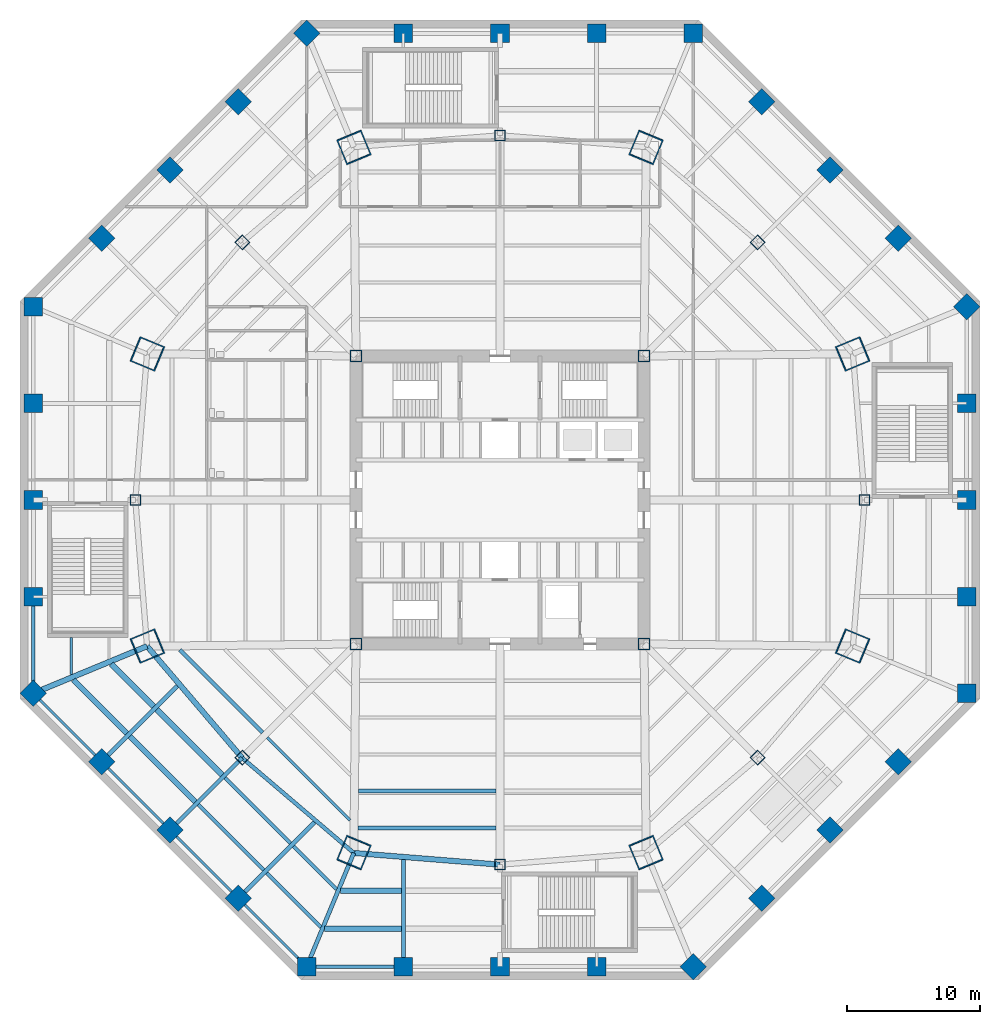
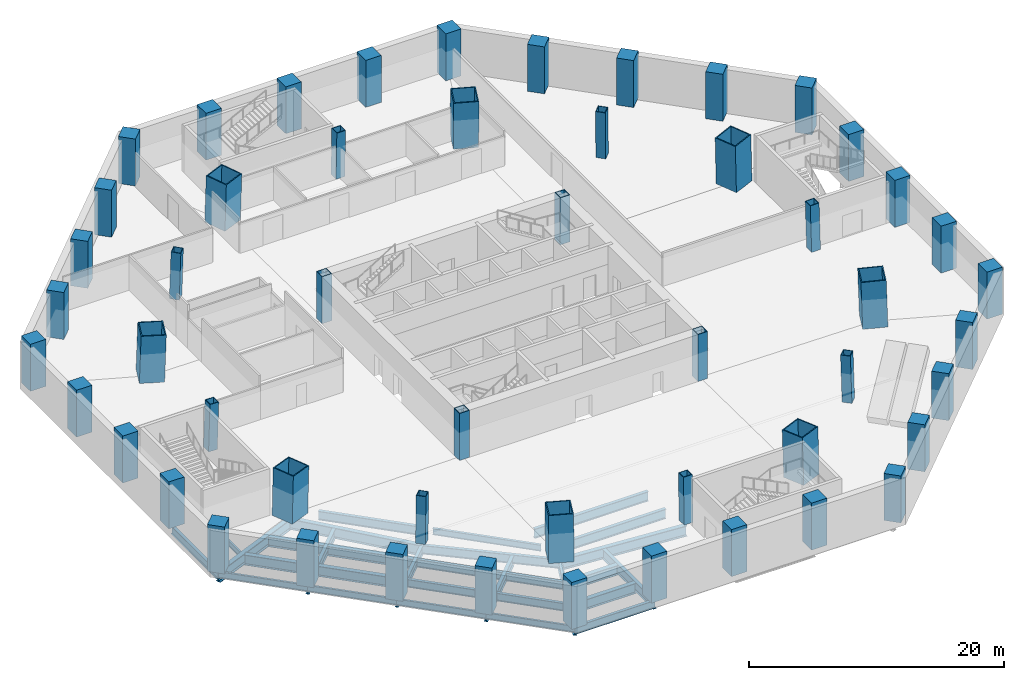
# One storey, part 1 of 15: 52 columns, 30 beams.
"""IFC4 building model written with IfcOpenShell, lengths in metres."""

from ifc_helpers import new_model, si_unit, direction, frame, origin, origin_2d, place, context, subcontext, project, spatial, rectangle, hollow_rectangle, i_section, extrude, material, material_profile, profile_set, type_object, element, save


model = new_model("IFC4")

# Units and contexts
model_context = context("Model", 3, precision=1e-05, world=origin(), true_north=direction((0.0, 1.0)))
body_context = subcontext(model_context, "Body", "Model", "MODEL_VIEW")
ifc_project = project(units=[si_unit("LENGTHUNIT", "METRE"), si_unit("AREAUNIT", "SQUARE_METRE"), si_unit("VOLUMEUNIT", "CUBIC_METRE"), si_unit("PLANEANGLEUNIT", "RADIAN"), si_unit("MASSUNIT", "GRAM", prefix="KILO")], contexts=[model_context])

# Site, building, storey
site_placement = place(None, origin())
site = spatial("IfcSite", under=ifc_project, at=site_placement, CompositionType="ELEMENT")
building_placement = place(site_placement, origin())
building = spatial("IfcBuilding", under=site, at=building_placement, Name="Mashrafa Tower", CompositionType="ELEMENT")
storey_placement = place(building_placement, frame((0.0, 0.0, -4.5)))
storey = spatial("IfcBuildingStorey", under=building, at=storey_placement, Name="B1", CompositionType="ELEMENT", Elevation=-4.5)

# Columns
ifc_material_1 = material(Name="Steel ASTM A572 Gr 50", Category="steel")
ifc_material_profile_1 = material_profile(ifc_material_1, hollow_rectangle(XDim=0.89990234375, YDim=0.89990234375, WallThickness=0.06005859375, at=origin_2d()), Name="BOX900X900X60")
ifc_profile_set_1 = profile_set([ifc_material_profile_1], Name="Steel ASTM A572 Gr 50")
column_type_1 = type_object("IfcColumnType", Name="Core corner column BOX900X900X60", PredefinedType="COLUMN", material=ifc_profile_set_1)
for number, where, z_axis, x_axis, name in (
    (1, (10.800048828125, 10.800048828125, 0.0), (0.0, 0.0, 1.0), (1.0, 0.0, 0.0), "Core corner column CC-NE B1"),
    (2, (-10.800048828125, 10.800048828125, 0.0), (0.0, 0.0, 1.0), (1.0, 0.0, 0.0), "Core corner column CC-NW B1"),
    (3, (-10.800048828125, -10.800048828125, 0.0), (0.0, 0.0, 1.0), (1.0, 0.0, 0.0), "Core corner column CC-SW B1"),
    (4, (10.800048828125, -10.800048828125, 0.0), (0.0, 0.0, 1.0), (1.0, 0.0, 0.0), "Core corner column CC-SE B1"),
):
    element("IfcColumn", number, at=place(storey_placement, frame(where, z_axis=z_axis, x_axis=x_axis)), inside=storey, type_object=column_type_1, Name=name, PredefinedType="COLUMN", context=body_context, shape_type="SweptSolid", body=[
        extrude(hollow_rectangle(XDim=0.89990234375, YDim=0.89990234375, WallThickness=0.06005859375, at=origin_2d()), origin(), (0.0, 0.0, 1.0), 4.5),
    ])
ifc_material_2 = material(Name="Steel ASTM A572 Gr 50", Category="steel")
ifc_material_profile_2 = material_profile(ifc_material_2, hollow_rectangle(XDim=2.0, YDim=2.0, WallThickness=0.090087890625, at=origin_2d()), Name="BOX2000X2000X90")
ifc_profile_set_2 = profile_set([ifc_material_profile_2], Name="Steel ASTM A572 Gr 50")
column_type_2 = type_object("IfcColumnType", Name="Mega column CFST BOX2000X2000X90", PredefinedType="COLUMN", material=ifc_profile_set_2)
for number, where, z_axis, x_axis, name in (
    (5, (26.4638671875, 10.961669921875, 0.0), (-0.028307020249, -0.011713249758, 0.999530646046), (0.382351792726, -0.924016832422, 0.0), "Mega column MC1 B1"),
    (6, (10.961669921875, 26.4638671875, 0.0), (-0.011713249758, -0.028307020249, 0.999530646046), (0.924016832422, -0.382351792726, 0.0), "Mega column MC2 B1"),
    (7, (-10.961669921875, 26.4638671875, 0.0), (0.011713249758, -0.028307020249, 0.999530646046), (0.924016832422, 0.382351792726, 0.0), "Mega column MC3 B1"),
    (8, (-26.4638671875, 10.961669921875, 0.0), (0.028307020249, -0.011713249758, 0.999530646046), (0.382351792726, 0.924016832422, 0.0), "Mega column MC4 B1"),
    (9, (-26.4638671875, -10.961669921875, 0.0), (0.028307020249, 0.011713249758, 0.999530646046), (-0.382351792726, 0.924016832422, 0.0), "Mega column MC5 B1"),
    (10, (-10.961669921875, -26.4638671875, 0.0), (0.011713249758, 0.028307020249, 0.999530646046), (-0.924016832422, 0.382351792726, 0.0), "Mega column MC6 B1"),
    (11, (10.961669921875, -26.4638671875, 0.0), (-0.011713249758, 0.028307020249, 0.999530646046), (-0.924016832422, -0.382351792726, 0.0), "Mega column MC7 B1"),
    (12, (26.4638671875, -10.961669921875, 0.0), (-0.028307020249, 0.011713249758, 0.999530646046), (-0.382351792726, -0.924016832422, 0.0), "Mega column MC8 B1"),
):
    element("IfcColumn", number, at=place(storey_placement, frame(where, z_axis=z_axis, x_axis=x_axis)), inside=storey, type_object=column_type_2, Name=name, PredefinedType="COLUMN", context=body_context, shape_type="SweptSolid", body=[
        extrude(hollow_rectangle(XDim=2.0, YDim=2.0, WallThickness=0.090087890625, at=origin_2d()), origin(), (0.0, 0.0, 1.0), 4.502197265625),
    ])
ifc_material_3 = material(Name="Concrete C50/60", Category="concrete")
ifc_material_profile_3 = material_profile(ifc_material_3, rectangle(XDim=1.39990234375, YDim=1.39990234375, at=origin_2d()), Name="RC1400X1400")
ifc_profile_set_3 = profile_set([ifc_material_profile_3], Name="Concrete C50/60")
column_type_3 = type_object("IfcColumnType", Name="Podium column RC1400X1400", PredefinedType="COLUMN", material=ifc_profile_set_3)
for number, where, z_axis, x_axis, name in (
    (13, (35.0, -14.49755859375, 0.0), (0.0, 0.0, 1.0), (1.0, 0.0, 0.0), "Podium column PC01 B1"),
    (14, (35.0, -7.248779296875, 0.0), (0.0, 0.0, 1.0), (1.0, 0.0, 0.0), "Podium column PC02 B1"),
    (15, (35.0, 0.0, 0.0), (0.0, 0.0, 1.0), (1.0, 0.0, 0.0), "Podium column PC03 B1"),
    (16, (35.0, 7.248779296875, 0.0), (0.0, 0.0, 1.0), (1.0, 0.0, 0.0), "Podium column PC04 B1"),
    (17, (35.0, 14.49755859375, 0.0), (0.0, 0.0, 1.0), (0.707106781187, 0.707106781187, 0.0), "Podium column PC05 B1"),
    (18, (29.874267578125, 19.623046875, 0.0), (0.0, 0.0, 1.0), (0.707106781187, 0.707106781187, 0.0), "Podium column PC06 B1"),
    (19, (24.748779296875, 24.748779296875, 0.0), (0.0, 0.0, 1.0), (0.707106781187, 0.707106781187, 0.0), "Podium column PC07 B1"),
    (20, (19.623046875, 29.874267578125, 0.0), (0.0, 0.0, 1.0), (0.707106781187, 0.707106781187, 0.0), "Podium column PC08 B1"),
    (21, (14.49755859375, 35.0, 0.0), (0.0, 0.0, 1.0), (1.0, 0.0, 0.0), "Podium column PC09 B1"),
    (22, (7.248779296875, 35.0, 0.0), (0.0, 0.0, 1.0), (1.0, 0.0, 0.0), "Podium column PC10 B1"),
    (23, (0.0, 35.0, 0.0), (0.0, 0.0, 1.0), (1.0, 0.0, 0.0), "Podium column PC11 B1"),
    (24, (-7.248779296875, 35.0, 0.0), (0.0, 0.0, 1.0), (1.0, 0.0, 0.0), "Podium column PC12 B1"),
    (25, (-14.49755859375, 35.0, 0.0), (0.0, 0.0, 1.0), (0.707106781187, 0.707106781187, 0.0), "Podium column PC13 B1"),
    (26, (-19.623046875, 29.874267578125, 0.0), (0.0, 0.0, 1.0), (0.707106781187, 0.707106781187, 0.0), "Podium column PC14 B1"),
    (27, (-24.748779296875, 24.748779296875, 0.0), (0.0, 0.0, 1.0), (0.707106781187, 0.707106781187, 0.0), "Podium column PC15 B1"),
    (28, (-29.874267578125, 19.623046875, 0.0), (0.0, 0.0, 1.0), (0.707106781187, 0.707106781187, 0.0), "Podium column PC16 B1"),
    (29, (-35.0, 14.49755859375, 0.0), (0.0, 0.0, 1.0), (1.0, 0.0, 0.0), "Podium column PC17 B1"),
    (30, (-35.0, 7.248779296875, 0.0), (0.0, 0.0, 1.0), (1.0, 0.0, 0.0), "Podium column PC18 B1"),
    (31, (-35.0, 0.0, 0.0), (0.0, 0.0, 1.0), (1.0, 0.0, 0.0), "Podium column PC19 B1"),
    (32, (-35.0, -7.248779296875, 0.0), (0.0, 0.0, 1.0), (1.0, 0.0, 0.0), "Podium column PC20 B1"),
    (33, (-35.0, -14.49755859375, 0.0), (0.0, 0.0, 1.0), (0.707106781187, 0.707106781187, 0.0), "Podium column PC21 B1"),
    (34, (-29.874267578125, -19.623046875, 0.0), (0.0, 0.0, 1.0), (0.707106781187, 0.707106781187, 0.0), "Podium column PC22 B1"),
    (35, (-24.748779296875, -24.748779296875, 0.0), (0.0, 0.0, 1.0), (0.707106781187, 0.707106781187, 0.0), "Podium column PC23 B1"),
    (36, (-19.623046875, -29.874267578125, 0.0), (0.0, 0.0, 1.0), (0.707106781187, 0.707106781187, 0.0), "Podium column PC24 B1"),
    (37, (-14.49755859375, -35.0, 0.0), (0.0, 0.0, 1.0), (1.0, 0.0, 0.0), "Podium column PC25 B1"),
    (38, (-7.248779296875, -35.0, 0.0), (0.0, 0.0, 1.0), (1.0, 0.0, 0.0), "Podium column PC26 B1"),
    (39, (0.0, -35.0, 0.0), (0.0, 0.0, 1.0), (1.0, 0.0, 0.0), "Podium column PC27 B1"),
    (40, (7.248779296875, -35.0, 0.0), (0.0, 0.0, 1.0), (1.0, 0.0, 0.0), "Podium column PC28 B1"),
    (41, (14.49755859375, -35.0, 0.0), (0.0, 0.0, 1.0), (0.707106781187, 0.707106781187, 0.0), "Podium column PC29 B1"),
    (42, (19.623046875, -29.874267578125, 0.0), (0.0, 0.0, 1.0), (0.707106781187, 0.707106781187, 0.0), "Podium column PC30 B1"),
    (43, (24.748779296875, -24.748779296875, 0.0), (0.0, 0.0, 1.0), (0.707106781187, 0.707106781187, 0.0), "Podium column PC31 B1"),
    (44, (29.874267578125, -19.623046875, 0.0), (0.0, 0.0, 1.0), (0.707106781187, 0.707106781187, 0.0), "Podium column PC32 B1"),
):
    element("IfcColumn", number, at=place(storey_placement, frame(where, z_axis=z_axis, x_axis=x_axis)), inside=storey, type_object=column_type_3, Name=name, PredefinedType="COLUMN", context=body_context, shape_type="SweptSolid", body=[
        extrude(rectangle(XDim=1.39990234375, YDim=1.39990234375, at=origin_2d()), origin(), (0.0, 0.0, 1.0), 4.5),
    ])
ifc_material_4 = material(Name="Steel ASTM A572 Gr 50", Category="steel")
ifc_material_profile_4 = material_profile(ifc_material_4, hollow_rectangle(XDim=0.800048828125, YDim=0.800048828125, WallThickness=0.050048828125, at=origin_2d()), Name="BOX800X800X50")
ifc_profile_set_4 = profile_set([ifc_material_profile_4], Name="Steel ASTM A572 Gr 50")
column_type_4 = type_object("IfcColumnType", Name="Secondary column BOX800X800X50", PredefinedType="COLUMN", material=ifc_profile_set_4)
for number, where, z_axis, x_axis, name in (
    (45, (27.342041015625, 0.0, 0.0), (-0.028308962314, 0.0, 0.999599221014), (0.0, -1.0, 0.0), "Secondary column SC1 B1"),
    (46, (19.333740234375, 19.333740234375, 0.0), (-0.02001151261, -0.02001151261, 0.999599459147), (0.707106781187, -0.707106781187, 0.0), "Secondary column SC2 B1"),
    (47, (0.0, 27.342041015625, 0.0), (0.0, -0.028308962314, 0.999599221014), (1.0, 0.0, 0.0), "Secondary column SC3 B1"),
    (48, (-19.333740234375, 19.333740234375, 0.0), (0.02001151261, -0.02001151261, 0.999599459147), (0.707106781187, 0.707106781187, 0.0), "Secondary column SC4 B1"),
    (49, (-27.342041015625, 0.0, 0.0), (0.028308962314, 0.0, 0.999599221014), (0.0, 1.0, 0.0), "Secondary column SC5 B1"),
    (50, (-19.333740234375, -19.333740234375, 0.0), (0.02001151261, 0.02001151261, 0.999599459147), (-0.707106781187, 0.707106781187, 0.0), "Secondary column SC6 B1"),
    (51, (0.0, -27.342041015625, 0.0), (0.0, 0.028308962314, 0.999599221014), (-1.0, 0.0, 0.0), "Secondary column SC7 B1"),
    (52, (19.333740234375, -19.333740234375, 0.0), (-0.02001151261, 0.02001151261, 0.999599459147), (-0.707106781187, -0.707106781187, 0.0), "Secondary column SC8 B1"),
):
    element("IfcColumn", number, at=place(storey_placement, frame(where, z_axis=z_axis, x_axis=x_axis)), inside=storey, type_object=column_type_4, Name=name, PredefinedType="COLUMN", context=body_context, shape_type="SweptSolid", body=[
        extrude(hollow_rectangle(XDim=0.800048828125, YDim=0.800048828125, WallThickness=0.050048828125, at=origin_2d()), origin(), (0.0, 0.0, 1.0), 4.501708984375),
    ])

# Beams
ifc_material_5 = material(Name="Steel ASTM A992", Category="steel")
ifc_material_profile_5 = material_profile(ifc_material_5, i_section(OverallWidth=0.1650390625, OverallDepth=0.52587890625, WebThickness=0.0087890625, FlangeThickness=0.011474609375, FilletRadius=0.0126953125, at=origin_2d()), Name="W21X44")
ifc_profile_set_5 = profile_set([ifc_material_profile_5], Name="Steel ASTM A992")
beam_type_1 = type_object("IfcBeamType", Name="Beam W21X44", PredefinedType="BEAM", material=ifc_profile_set_5)
beam_1_placement = place(storey_placement, frame((-32.157470703125, -13.098876953125, -0.56298828125), z_axis=(0.0, 1.0, 0.0), x_axis=(-1.0, 0.0, 0.0)))
element("IfcBeam", 53, at=beam_1_placement, inside=storey, type_object=beam_type_1, Name="Floor beam B1 001", PredefinedType="BEAM", context=body_context, shape_type="SweptSolid", body=[
    extrude(i_section(OverallWidth=0.1650390625, OverallDepth=0.52587890625, WebThickness=0.0087890625, FlangeThickness=0.011474609375, FilletRadius=0.0126953125, at=origin_2d()), origin(), (0.0, 0.0, 1.0), 2.798828125),
])
ifc_material_6 = material(Name="Steel ASTM A992", Category="steel")
ifc_material_profile_6 = material_profile(ifc_material_6, i_section(OverallWidth=0.177978515625, OverallDepth=0.599365234375, WebThickness=0.010009765625, FlangeThickness=0.012939453125, FilletRadius=0.012939453125, at=origin_2d()), Name="W24X55")
ifc_profile_set_6 = profile_set([ifc_material_profile_6], Name="Steel ASTM A992")
beam_type_2 = type_object("IfcBeamType", Name="Beam W24X55", PredefinedType="BEAM", material=ifc_profile_set_6)
beam_2_placement = place(storey_placement, frame((-35.0, -14.49755859375, -0.599609375), z_axis=(0.707106781187, -0.707106781187, 0.0), x_axis=(0.707106781187, 0.707106781187, 0.0)))
element("IfcBeam", 54, at=beam_2_placement, inside=storey, type_object=beam_type_2, Name="Podium edge beam B1 105", PredefinedType="BEAM", context=body_context, shape_type="SweptSolid", body=[
    extrude(i_section(OverallWidth=0.177978515625, OverallDepth=0.599365234375, WebThickness=0.010009765625, FlangeThickness=0.012939453125, FilletRadius=0.012939453125, at=origin_2d()), origin(), (0.0, 0.0, 1.0), 7.24853515625),
])
for number, where, z_axis, x_axis, name in (
    (55, (-29.87451171875, -19.623046875, -0.599609375), (0.707106781187, -0.707106781187, 0.0), (0.707106781187, 0.707106781187, 0.0), "Podium edge beam B1 110"),
    (56, (-24.748779296875, -24.748779296875, -0.599609375), (0.707106781187, -0.707106781187, 0.0), (0.707106781187, 0.707106781187, 0.0), "Podium edge beam B1 112"),
):
    element("IfcBeam", number, at=place(storey_placement, frame(where, z_axis=z_axis, x_axis=x_axis)), inside=storey, type_object=beam_type_2, Name=name, PredefinedType="BEAM", context=body_context, shape_type="SweptSolid", body=[
        extrude(i_section(OverallWidth=0.177978515625, OverallDepth=0.599365234375, WebThickness=0.010009765625, FlangeThickness=0.012939453125, FilletRadius=0.012939453125, at=origin_2d()), origin(), (0.0, 0.0, 1.0), 7.248779296875),
    ])
beam_3_placement = place(storey_placement, frame((-19.623046875, -29.87451171875, -0.599609375), z_axis=(0.707106781187, -0.707106781187, 0.0), x_axis=(0.707106781187, 0.707106781187, 0.0)))
element("IfcBeam", 57, at=beam_3_placement, inside=storey, type_object=beam_type_2, Name="Podium edge beam B1 114", PredefinedType="BEAM", context=body_context, shape_type="SweptSolid", body=[
    extrude(i_section(OverallWidth=0.177978515625, OverallDepth=0.599365234375, WebThickness=0.010009765625, FlangeThickness=0.012939453125, FilletRadius=0.012939453125, at=origin_2d()), origin(), (0.0, 0.0, 1.0), 7.24853515625),
])
ifc_material_7 = material(Name="Steel ASTM A992", Category="steel")
ifc_material_profile_7 = material_profile(ifc_material_7, i_section(OverallWidth=0.227783203125, OverallDepth=0.60205078125, WebThickness=0.010498046875, FlangeThickness=0.014892578125, FilletRadius=0.012939453125, at=origin_2d()), Name="W24X68")
ifc_profile_set_7 = profile_set([ifc_material_profile_7], Name="Steel ASTM A992")
beam_type_3 = type_object("IfcBeamType", Name="Beam W24X68", PredefinedType="BEAM", material=ifc_profile_set_7)
beam_4_placement = place(storey_placement, frame((-11.239501953125, -24.024169921875, -0.60107421875), z_axis=(-0.707106781187, 0.707106781187, 0.0), x_axis=(-0.707106781187, -0.707106781187, 0.0)))
element("IfcBeam", 58, at=beam_4_placement, inside=storey, type_object=beam_type_3, Name="Floor beam B1 038", PredefinedType="BEAM", context=body_context, shape_type="SweptSolid", body=[
    extrude(i_section(OverallWidth=0.227783203125, OverallDepth=0.60205078125, WebThickness=0.010498046875, FlangeThickness=0.014892578125, FilletRadius=0.012939453125, at=origin_2d()), origin(), (0.0, 0.0, 1.0), 8.7900390625),
])
ifc_material_8 = material(Name="Steel ASTM A992", Category="steel")
ifc_material_profile_8 = material_profile(ifc_material_8, i_section(OverallWidth=0.2666015625, OverallDepth=0.75439453125, WebThickness=0.01318359375, FlangeThickness=0.01708984375, FilletRadius=0.0166015625, at=origin_2d()), Name="W30X99")
ifc_profile_set_8 = profile_set([ifc_material_profile_8], Name="Steel ASTM A992")
beam_type_4 = type_object("IfcBeamType", Name="Beam W30X99", PredefinedType="BEAM", material=ifc_profile_set_8)
beam_5_placement = place(storey_placement, frame((-13.437744140625, -32.039794921875, -0.67724609375), z_axis=(-0.707106781187, 0.707106781187, 0.0), x_axis=(-0.707106781187, -0.707106781187, 0.0)))
element("IfcBeam", 59, at=beam_5_placement, inside=storey, type_object=beam_type_4, Name="Floor beam B1 031 part 1", PredefinedType="BEAM", context=body_context, shape_type="SweptSolid", body=[
    extrude(i_section(OverallWidth=0.2666015625, OverallDepth=0.75439453125, WebThickness=0.01318359375, FlangeThickness=0.01708984375, FilletRadius=0.0166015625, at=origin_2d()), origin(), (0.0, 0.0, 1.0), 5.751220703125),
])
beam_6_placement = place(storey_placement, frame((-17.7216796875, -27.755615234375, -0.67724609375), z_axis=(-0.707124347529, 0.707089214407, 0.0), x_axis=(-0.707089214407, -0.707124347529, 0.0)))
element("IfcBeam", 60, at=beam_6_placement, inside=storey, type_object=beam_type_4, Name="Floor beam B1 031 part 2", PredefinedType="BEAM", context=body_context, shape_type="SweptSolid", body=[
    extrude(i_section(OverallWidth=0.2666015625, OverallDepth=0.75439453125, WebThickness=0.01318359375, FlangeThickness=0.01708984375, FilletRadius=0.0166015625, at=origin_2d()), origin(), (0.0, 0.0, 1.0), 6.948974609375),
])
beam_7_placement = place(storey_placement, frame((-12.26025390625, -29.197265625, -0.67724609375), z_axis=(-0.707106781187, 0.707106781187, 0.0), x_axis=(-0.707106781187, -0.707106781187, 0.0)))
element("IfcBeam", 61, at=beam_7_placement, inside=storey, type_object=beam_type_4, Name="Floor beam B1 035 part 1", PredefinedType="BEAM", context=body_context, shape_type="SweptSolid", body=[
    extrude(i_section(OverallWidth=0.2666015625, OverallDepth=0.75439453125, WebThickness=0.01318359375, FlangeThickness=0.01708984375, FilletRadius=0.0166015625, at=origin_2d()), origin(), (0.0, 0.0, 1.0), 4.57373046875),
])
beam_8_placement = place(storey_placement, frame((-15.7119140625, -25.74560546875, -0.67724609375), z_axis=(-0.707106781187, 0.707106781187, 0.0), x_axis=(-0.707106781187, -0.707106781187, 0.0)))
element("IfcBeam", 62, at=beam_8_placement, inside=storey, type_object=beam_type_4, Name="Floor beam B1 035 part 2", PredefinedType="BEAM", context=body_context, shape_type="SweptSolid", body=[
    extrude(i_section(OverallWidth=0.2666015625, OverallDepth=0.75439453125, WebThickness=0.01318359375, FlangeThickness=0.01708984375, FilletRadius=0.0166015625, at=origin_2d()), origin(), (0.0, 0.0, 1.0), 6.94873046875),
])
for number, where, z_axis, x_axis, name in (
    (63, (-35.0, -7.248779296875, -0.67724609375), (0.0, -1.0, 0.0), (1.0, 0.0, 0.0), "Podium edge beam B1 106"),
    (64, (-14.49755859375, -35.0, -0.67724609375), (1.0, 0.0, 0.0), (0.0, 1.0, 0.0), "Podium edge beam B1 116"),
):
    element("IfcBeam", number, at=place(storey_placement, frame(where, z_axis=z_axis, x_axis=x_axis)), inside=storey, type_object=beam_type_4, Name=name, PredefinedType="BEAM", context=body_context, shape_type="SweptSolid", body=[
        extrude(i_section(OverallWidth=0.2666015625, OverallDepth=0.75439453125, WebThickness=0.01318359375, FlangeThickness=0.01708984375, FilletRadius=0.0166015625, at=origin_2d()), origin(), (0.0, 0.0, 1.0), 7.248779296875),
    ])
ifc_material_9 = material(Name="Steel ASTM A992", Category="steel")
ifc_material_profile_9 = material_profile(ifc_material_9, i_section(OverallWidth=0.2919921875, OverallDepth=0.8408203125, WebThickness=0.0146484375, FlangeThickness=0.021728515625, FilletRadius=0.017333984375, at=origin_2d()), Name="W33X130")
ifc_profile_set_9 = profile_set([ifc_material_profile_9], Name="Steel ASTM A992")
beam_type_5 = type_object("IfcBeamType", Name="Beam W33X130", PredefinedType="BEAM", material=ifc_profile_set_9)
beam_9_placement = place(storey_placement, frame((-19.339599609375, -19.339599609375, -0.720458984375), z_axis=(0.76128948608, -0.648412151633, 0.0), x_axis=(0.648412151633, 0.76128948608, 0.0)))
element("IfcBeam", 65, at=beam_9_placement, inside=storey, type_object=beam_type_5, Name="Podium ring girder B1 180", PredefinedType="BEAM", context=body_context, shape_type="SweptSolid", body=[
    extrude(i_section(OverallWidth=0.2919921875, OverallDepth=0.8408203125, WebThickness=0.0146484375, FlangeThickness=0.021728515625, FilletRadius=0.017333984375, at=origin_2d()), origin(), (0.0, 0.0, 1.0), 11.00048828125),
])
ifc_material_10 = material(Name="Steel ASTM A992", Category="steel")
ifc_material_profile_10 = material_profile(ifc_material_10, i_section(OverallWidth=0.2919921875, OverallDepth=0.845703125, WebThickness=0.015380859375, FlangeThickness=0.0244140625, FilletRadius=0.017333984375, at=origin_2d()), Name="W33X141")
ifc_profile_set_10 = profile_set([ifc_material_profile_10], Name="Steel ASTM A992")
beam_type_6 = type_object("IfcBeamType", Name="Beam W33X141", PredefinedType="BEAM", material=ifc_profile_set_10)
beam_10_placement = place(storey_placement, frame((-17.80859375, -17.455078125, -0.722900390625), z_axis=(-0.707106781187, 0.707106781187, 0.0), x_axis=(-0.707106781187, -0.707106781187, 0.0)))
element("IfcBeam", 66, at=beam_10_placement, inside=storey, type_object=beam_type_6, Name="Floor beam B1 019", PredefinedType="BEAM", context=body_context, shape_type="SweptSolid", body=[
    extrude(i_section(OverallWidth=0.2919921875, OverallDepth=0.845703125, WebThickness=0.015380859375, FlangeThickness=0.0244140625, FilletRadius=0.017333984375, at=origin_2d()), origin(), (0.0, 0.0, 1.0), 8.7900390625),
])
ifc_material_11 = material(Name="Steel ASTM A992", Category="steel")
ifc_material_profile_11 = material_profile(ifc_material_11, i_section(OverallWidth=0.2919921875, OverallDepth=0.8583984375, WebThickness=0.01708984375, FlangeThickness=0.031005859375, FilletRadius=0.017822265625, at=origin_2d()), Name="W33X169")
ifc_profile_set_11 = profile_set([ifc_material_profile_11], Name="Steel ASTM A992")
beam_type_7 = type_object("IfcBeamType", Name="Beam W33X169", PredefinedType="BEAM", material=ifc_profile_set_11)
beam_11_placement = place(storey_placement, frame((-19.339599609375, -19.339599609375, -0.729248046875), z_axis=(-0.707106781187, -0.707106781187, 0.0), x_axis=(0.707106781187, -0.707106781187, 0.0)))
element("IfcBeam", 67, at=beam_11_placement, inside=storey, type_object=beam_type_7, Name="Podium radial beam B1 146", PredefinedType="BEAM", context=body_context, shape_type="SweptSolid", body=[
    extrude(i_section(OverallWidth=0.2919921875, OverallDepth=0.8583984375, WebThickness=0.01708984375, FlangeThickness=0.031005859375, FilletRadius=0.017822265625, at=origin_2d()), origin(), (0.0, 0.0, 1.0), 7.649658203125),
])
ifc_material_12 = material(Name="Steel ASTM A992", Category="steel")
ifc_material_profile_12 = material_profile(ifc_material_12, i_section(OverallWidth=0.3046875, OverallDepth=0.911865234375, WebThickness=0.015869140625, FlangeThickness=0.02392578125, FilletRadius=0.01904296875, at=origin_2d()), Name="W36X150")
ifc_profile_set_12 = profile_set([ifc_material_profile_12], Name="Steel ASTM A992")
beam_type_8 = type_object("IfcBeamType", Name="Beam W36X150", PredefinedType="BEAM", material=ifc_profile_set_12)
beam_12_placement = place(storey_placement, frame((-0.300048828125, -21.833740234375, -0.755859375), z_axis=(-1.0, 0.0, 0.0), x_axis=(0.0, -1.0, 0.0)))
element("IfcBeam", 68, at=beam_12_placement, inside=storey, type_object=beam_type_8, Name="Floor beam B1 049", PredefinedType="BEAM", context=body_context, shape_type="SweptSolid", body=[
    extrude(i_section(OverallWidth=0.3046875, OverallDepth=0.911865234375, WebThickness=0.015869140625, FlangeThickness=0.02392578125, FilletRadius=0.01904296875, at=origin_2d()), origin(), (0.0, 0.0, 1.0), 10.316162109375),
])
ifc_material_13 = material(Name="Steel ASTM A992", Category="steel")
ifc_material_profile_13 = material_profile(ifc_material_13, i_section(OverallWidth=0.307373046875, OverallDepth=0.927001953125, WebThickness=0.01953125, FlangeThickness=0.031982421875, FilletRadius=0.01904296875, at=origin_2d()), Name="W36X194")
ifc_profile_set_13 = profile_set([ifc_material_profile_13], Name="Steel ASTM A992")
beam_type_9 = type_object("IfcBeamType", Name="Beam W36X194", PredefinedType="BEAM", material=ifc_profile_set_13)
beam_13_placement = place(storey_placement, frame((-0.300048828125, -24.592041015625, -0.763671875), z_axis=(-1.0, 0.0, 0.0), x_axis=(0.0, -1.0, 0.0)))
element("IfcBeam", 69, at=beam_13_placement, inside=storey, type_object=beam_type_9, Name="Floor beam B1 048", PredefinedType="BEAM", context=body_context, shape_type="SweptSolid", body=[
    extrude(i_section(OverallWidth=0.307373046875, OverallDepth=0.927001953125, WebThickness=0.01953125, FlangeThickness=0.031982421875, FilletRadius=0.01904296875, at=origin_2d()), origin(), (0.0, 0.0, 1.0), 10.345458984375),
])
beam_14_placement = place(storey_placement, frame((-24.197265625, -13.94580078125, -0.763671875), z_axis=(-0.707106781187, -0.707106781187, 0.0), x_axis=(0.707106781187, -0.707106781187, 0.0)))
element("IfcBeam", 70, at=beam_14_placement, inside=storey, type_object=beam_type_9, Name="Podium radial beam B1 144", PredefinedType="BEAM", context=body_context, shape_type="SweptSolid", body=[
    extrude(i_section(OverallWidth=0.307373046875, OverallDepth=0.927001953125, WebThickness=0.01953125, FlangeThickness=0.031982421875, FilletRadius=0.01904296875, at=origin_2d()), origin(), (0.0, 0.0, 1.0), 8.02880859375),
])
beam_15_placement = place(storey_placement, frame((-13.9072265625, -24.158447265625, -0.763671875), z_axis=(-0.707091679973, -0.707121882078, 0.0), x_axis=(0.707121882078, -0.707091679973, 0.0)))
element("IfcBeam", 71, at=beam_15_placement, inside=storey, type_object=beam_type_9, Name="Podium radial beam B1 148", PredefinedType="BEAM", context=body_context, shape_type="SweptSolid", body=[
    extrude(i_section(OverallWidth=0.307373046875, OverallDepth=0.927001953125, WebThickness=0.01953125, FlangeThickness=0.031982421875, FilletRadius=0.01904296875, at=origin_2d()), origin(), (0.0, 0.0, 1.0), 8.08349609375),
])
beam_16_placement = place(storey_placement, frame((-10.965087890625, -26.472412109375, -0.763671875), z_axis=(-0.382704529509, -0.923870793506, 0.0), x_axis=(0.923870793506, -0.382704529509, 0.0)))
element("IfcBeam", 72, at=beam_16_placement, inside=storey, type_object=beam_type_9, Name="Podium radial beam B1 150", PredefinedType="BEAM", context=body_context, shape_type="SweptSolid", body=[
    extrude(i_section(OverallWidth=0.307373046875, OverallDepth=0.927001953125, WebThickness=0.01953125, FlangeThickness=0.031982421875, FilletRadius=0.01904296875, at=origin_2d()), origin(), (0.0, 0.0, 1.0), 9.230224609375),
])
beam_17_placement = place(storey_placement, frame((-7.248779296875, -26.97119140625, -0.763671875), z_axis=(0.0, -1.0, 0.0), x_axis=(1.0, 0.0, 0.0)))
element("IfcBeam", 73, at=beam_17_placement, inside=storey, type_object=beam_type_9, Name="Podium radial beam B1 152", PredefinedType="BEAM", context=body_context, shape_type="SweptSolid", body=[
    extrude(i_section(OverallWidth=0.307373046875, OverallDepth=0.927001953125, WebThickness=0.01953125, FlangeThickness=0.031982421875, FilletRadius=0.01904296875, at=origin_2d()), origin(), (0.0, 0.0, 1.0), 8.02880859375),
])
ifc_material_14 = material(Name="Steel ASTM A992", Category="steel")
ifc_material_profile_14 = material_profile(ifc_material_14, i_section(OverallWidth=0.419189453125, OverallDepth=0.927001953125, WebThickness=0.019287109375, FlangeThickness=0.031982421875, FilletRadius=0.020263671875, at=origin_2d()), Name="W36X231")
ifc_profile_set_14 = profile_set([ifc_material_profile_14], Name="Steel ASTM A992")
beam_type_10 = type_object("IfcBeamType", Name="Beam W36X231", PredefinedType="BEAM", material=ifc_profile_set_14)
beam_18_placement = place(storey_placement, frame((-20.83203125, -20.62548828125, -0.763671875), z_axis=(-0.707106781187, 0.707106781187, 0.0), x_axis=(-0.707106781187, -0.707106781187, 0.0)))
element("IfcBeam", 74, at=beam_18_placement, inside=storey, type_object=beam_type_10, Name="Floor beam B1 015 part 1", PredefinedType="BEAM", context=body_context, shape_type="SweptSolid", body=[
    extrude(i_section(OverallWidth=0.419189453125, OverallDepth=0.927001953125, WebThickness=0.019287109375, FlangeThickness=0.031982421875, FilletRadius=0.020263671875, at=origin_2d()), origin(), (0.0, 0.0, 1.0), 6.94873046875),
])
beam_19_placement = place(storey_placement, frame((-25.963134765625, -15.494384765625, -0.763671875), z_axis=(-0.707106781187, 0.707106781187, 0.0), x_axis=(-0.707106781187, -0.707106781187, 0.0)))
element("IfcBeam", 75, at=beam_19_placement, inside=storey, type_object=beam_type_10, Name="Floor beam B1 015 part 2", PredefinedType="BEAM", context=body_context, shape_type="SweptSolid", body=[
    extrude(i_section(OverallWidth=0.419189453125, OverallDepth=0.927001953125, WebThickness=0.019287109375, FlangeThickness=0.031982421875, FilletRadius=0.020263671875, at=origin_2d()), origin(), (0.0, 0.0, 1.0), 4.518798828125),
])
beam_20_placement = place(storey_placement, frame((-7.40234375, -29.31494140625, -0.763671875), z_axis=(-1.0, 0.0, 0.0), x_axis=(0.0, -1.0, 0.0)))
element("IfcBeam", 76, at=beam_20_placement, inside=storey, type_object=beam_type_10, Name="Floor beam B1 059 part 2", PredefinedType="BEAM", context=body_context, shape_type="SweptSolid", body=[
    extrude(i_section(OverallWidth=0.419189453125, OverallDepth=0.927001953125, WebThickness=0.019287109375, FlangeThickness=0.031982421875, FilletRadius=0.020263671875, at=origin_2d()), origin(), (0.0, 0.0, 1.0), 4.573974609375),
])
ifc_material_15 = material(Name="Steel ASTM A992", Category="steel")
ifc_material_profile_15 = material_profile(ifc_material_15, i_section(OverallWidth=0.4013671875, OverallDepth=0.98291015625, WebThickness=0.0166015625, FlangeThickness=0.027099609375, FilletRadius=0.0126953125, at=origin_2d()), Name="W40X199")
ifc_profile_set_15 = profile_set([ifc_material_profile_15], Name="Steel ASTM A992")
beam_type_11 = type_object("IfcBeamType", Name="Beam W40X199", PredefinedType="BEAM", material=ifc_profile_set_15)
beam_21_placement = place(storey_placement, frame((-22.842041015625, -22.635498046875, -0.79150390625), z_axis=(-0.707089214407, 0.707124347529, 0.0), x_axis=(-0.707124347529, -0.707089214407, 0.0)))
element("IfcBeam", 77, at=beam_21_placement, inside=storey, type_object=beam_type_11, Name="Floor beam B1 010 part 1", PredefinedType="BEAM", context=body_context, shape_type="SweptSolid", body=[
    extrude(i_section(OverallWidth=0.4013671875, OverallDepth=0.98291015625, WebThickness=0.0166015625, FlangeThickness=0.027099609375, FilletRadius=0.0126953125, at=origin_2d()), origin(), (0.0, 0.0, 1.0), 6.948974609375),
])
beam_22_placement = place(storey_placement, frame((-27.97314453125, -17.50439453125, -0.79150390625), z_axis=(-0.707106781187, 0.707106781187, 0.0), x_axis=(-0.707106781187, -0.707106781187, 0.0)))
element("IfcBeam", 78, at=beam_22_placement, inside=storey, type_object=beam_type_11, Name="Floor beam B1 010 part 2", PredefinedType="BEAM", context=body_context, shape_type="SweptSolid", body=[
    extrude(i_section(OverallWidth=0.4013671875, OverallDepth=0.98291015625, WebThickness=0.0166015625, FlangeThickness=0.027099609375, FilletRadius=0.0126953125, at=origin_2d()), origin(), (0.0, 0.0, 1.0), 5.6962890625),
])
beam_23_placement = place(storey_placement, frame((-7.40234375, -32.157470703125, -0.79150390625), z_axis=(-1.0, 0.0, 0.0), x_axis=(0.0, -1.0, 0.0)))
element("IfcBeam", 79, at=beam_23_placement, inside=storey, type_object=beam_type_11, Name="Floor beam B1 058 part 2", PredefinedType="BEAM", context=body_context, shape_type="SweptSolid", body=[
    extrude(i_section(OverallWidth=0.4013671875, OverallDepth=0.98291015625, WebThickness=0.0166015625, FlangeThickness=0.027099609375, FilletRadius=0.0126953125, at=origin_2d()), origin(), (0.0, 0.0, 1.0), 5.75146484375),
])
ifc_material_16 = material(Name="Steel ASTM A992", Category="steel")
ifc_material_profile_16 = material_profile(ifc_material_16, i_section(OverallWidth=0.4013671875, OverallDepth=1.010986328125, WebThickness=0.023681640625, FlangeThickness=0.0419921875, FilletRadius=0.02001953125, at=origin_2d()), Name="W40X297")
ifc_profile_set_16 = profile_set([ifc_material_profile_16], Name="Steel ASTM A992")
beam_type_12 = type_object("IfcBeamType", Name="Beam W40X297", PredefinedType="BEAM", material=ifc_profile_set_16)
beam_24_placement = place(storey_placement, frame((-26.472412109375, -10.965087890625, -0.805419921875), z_axis=(0.648412151633, -0.76128948608, 0.0), x_axis=(0.76128948608, 0.648412151633, 0.0)))
element("IfcBeam", 80, at=beam_24_placement, inside=storey, type_object=beam_type_12, Name="Podium ring girder B1 178", PredefinedType="BEAM", context=body_context, shape_type="SweptSolid", body=[
    extrude(i_section(OverallWidth=0.4013671875, OverallDepth=1.010986328125, WebThickness=0.023681640625, FlangeThickness=0.0419921875, FilletRadius=0.02001953125, at=origin_2d()), origin(), (0.0, 0.0, 1.0), 11.00048828125),
])
beam_25_placement = place(storey_placement, frame((-10.965087890625, -26.472412109375, -0.805419921875), z_axis=(0.9968082883, -0.079832552112, 0.0), x_axis=(0.079832552112, 0.9968082883, 0.0)))
element("IfcBeam", 81, at=beam_25_placement, inside=storey, type_object=beam_type_12, Name="Podium ring girder B1 182", PredefinedType="BEAM", context=body_context, shape_type="SweptSolid", body=[
    extrude(i_section(OverallWidth=0.4013671875, OverallDepth=1.010986328125, WebThickness=0.023681640625, FlangeThickness=0.0419921875, FilletRadius=0.02001953125, at=origin_2d()), origin(), (0.0, 0.0, 1.0), 11.000244140625),
])
ifc_material_17 = material(Name="Steel ASTM A992", Category="steel")
ifc_material_profile_17 = material_profile(ifc_material_17, i_section(OverallWidth=0.408935546875, OverallDepth=1.04150390625, WebThickness=0.031005859375, FlangeThickness=0.055908203125, FilletRadius=0.020263671875, at=origin_2d()), Name="W40X397")
ifc_profile_set_17 = profile_set([ifc_material_profile_17], Name="Steel ASTM A992")
beam_type_13 = type_object("IfcBeamType", Name="Beam W40X397", PredefinedType="BEAM", material=ifc_profile_set_17)
beam_26_placement = place(storey_placement, frame((-26.472412109375, -10.965087890625, -0.82080078125), z_axis=(-0.923870793506, -0.382704529509, 0.0), x_axis=(0.382704529509, -0.923870793506, 0.0)))
element("IfcBeam", 82, at=beam_26_placement, inside=storey, type_object=beam_type_13, Name="Podium radial beam B1 142", PredefinedType="BEAM", context=body_context, shape_type="SweptSolid", body=[
    extrude(i_section(OverallWidth=0.408935546875, OverallDepth=1.04150390625, WebThickness=0.031005859375, FlangeThickness=0.055908203125, FilletRadius=0.020263671875, at=origin_2d()), origin(), (0.0, 0.0, 1.0), 9.230224609375),
])

save(model, "model.ifc")
